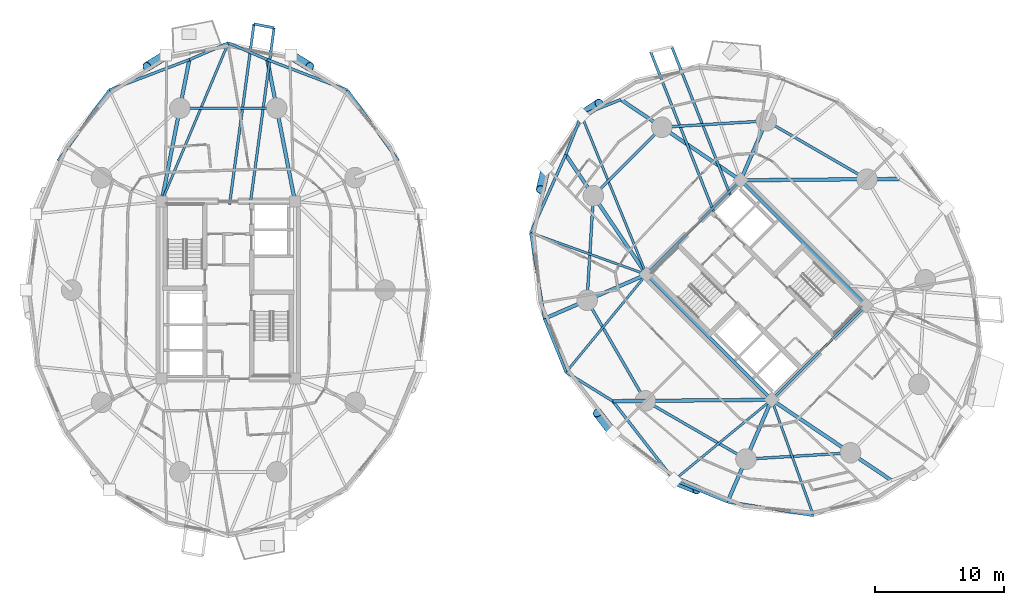
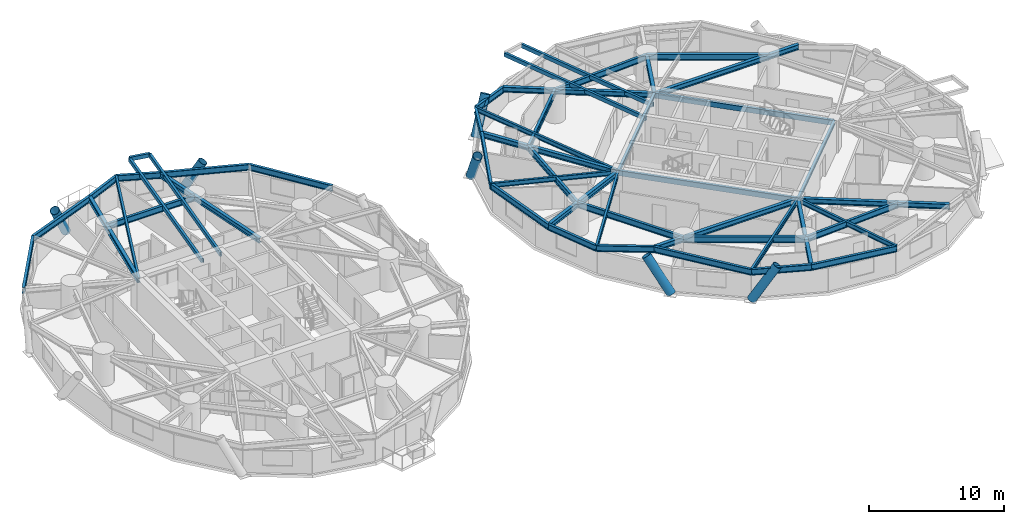
# One storey, part 5 of 20: 49 beams, 6 members.
"""IFC4 building model written with IfcOpenShell, lengths in metres."""

from ifc_helpers import new_model, si_unit, direction, frame, origin, origin_2d, place, context, subcontext, project, spatial, hollow_rectangle, hollow_circle, i_section, extrude, material, material_profile, profile_set, type_object, element, save


model = new_model("IFC4")

# Units and contexts
model_context = context("Model", 3, precision=1e-05, world=origin(), true_north=direction((0.0, 1.0)))
body_context = subcontext(model_context, "Body", "Model", "MODEL_VIEW")
ifc_project = project(units=[si_unit("LENGTHUNIT", "METRE"), si_unit("AREAUNIT", "SQUARE_METRE"), si_unit("VOLUMEUNIT", "CUBIC_METRE"), si_unit("PLANEANGLEUNIT", "RADIAN"), si_unit("MASSUNIT", "GRAM", prefix="KILO")], contexts=[model_context])

# Site, building, storey
site_placement = place(None, origin())
site = spatial("IfcSite", under=ifc_project, at=site_placement, CompositionType="ELEMENT")
building_placement = place(site_placement, origin())
building = spatial("IfcBuilding", under=site, at=building_placement, Name="Cununo Teusaquillo Station Towers", CompositionType="ELEMENT")
storey_placement = place(building_placement, frame((0.0, 0.0, 39.4599609375)))
storey = spatial("IfcBuildingStorey", under=building, at=storey_placement, Name="L11", CompositionType="ELEMENT", Elevation=39.4599609375)

# Beams
ifc_material_1 = material(Name="Steel EN 10025-2 S355J2", Category="steel")
ifc_material_profile_1 = material_profile(ifc_material_1, hollow_rectangle(XDim=0.199951171875, YDim=0.35009765625, WallThickness=0.013916015625, at=origin_2d()), Name="RHS 350x200x14")
ifc_profile_set_1 = profile_set([ifc_material_profile_1], Name="Steel EN 10025-2 S355J2")
beam_type_1 = type_object("IfcBeamType", Name="BM-BAL-CANT", PredefinedType="BEAM", material=ifc_profile_set_1)
beam_1_placement = place(storey_placement, frame((18.200439453125, 31.14990234375, 2.47509765625), z_axis=(0.133965193427, 0.990986037717, 0.0), x_axis=(-0.990986037717, 0.133965193427, 0.0)))
element("IfcBeam", 1, at=beam_1_placement, inside=storey, type_object=beam_type_1, Name="L11 Tower A Balcony Cantilever Bracket 1A", PredefinedType="BEAM", context=body_context, shape_type="SweptSolid", body=[
    extrude(hollow_rectangle(XDim=0.199951171875, YDim=0.35009765625, WallThickness=0.013916015625, at=origin_2d()), origin(), (0.0, 0.0, 1.0), 13.837646484375),
])
beam_2_placement = place(storey_placement, frame((16.59765625, 31.14990234375, 2.47509765625), z_axis=(0.133963716843, 0.990986237326, 0.0), x_axis=(-0.990986237326, 0.133963716843, 0.0)))
element("IfcBeam", 2, at=beam_2_placement, inside=storey, type_object=beam_type_1, Name="L11 Tower A Balcony Cantilever Bracket 1B", PredefinedType="BEAM", context=body_context, shape_type="SweptSolid", body=[
    extrude(hollow_rectangle(XDim=0.199951171875, YDim=0.35009765625, WallThickness=0.013916015625, at=origin_2d()), origin(), (0.0, 0.0, 1.0), 14.14208984375),
])
beam_3_placement = place(storey_placement, frame((55.4853515625, 31.889892578125, 2.47509765625), z_axis=(-0.366951688467, 0.930240000393, 0.0), x_axis=(-0.930240000393, -0.366951688467, 0.0)))
element("IfcBeam", 3, at=beam_3_placement, inside=storey, type_object=beam_type_1, Name="L11 Tower B Balcony Cantilever Bracket 1A", PredefinedType="BEAM", context=body_context, shape_type="SweptSolid", body=[
    extrude(hollow_rectangle(XDim=0.199951171875, YDim=0.35009765625, WallThickness=0.013916015625, at=origin_2d()), origin(), (0.0, 0.0, 1.0), 12.36767578125),
])
beam_4_placement = place(storey_placement, frame((54.194091796875, 30.5986328125, 2.47509765625), z_axis=(-0.366941130364, 0.930244165178, 0.0), x_axis=(-0.930244165178, -0.366941130364, 0.0)))
element("IfcBeam", 4, at=beam_4_placement, inside=storey, type_object=beam_type_1, Name="L11 Tower B Balcony Cantilever Bracket 1B", PredefinedType="BEAM", context=body_context, shape_type="SweptSolid", body=[
    extrude(hollow_rectangle(XDim=0.199951171875, YDim=0.35009765625, WallThickness=0.013916015625, at=origin_2d()), origin(), (0.0, 0.0, 1.0), 13.342041015625),
])
ifc_material_2 = material(Name="Steel EN 10025-2 S355J2", Category="steel")
ifc_material_profile_2 = material_profile(ifc_material_2, hollow_rectangle(XDim=0.25, YDim=0.449951171875, WallThickness=0.01611328125, at=origin_2d()), Name="RHS 450x250x16")
ifc_profile_set_2 = profile_set([ifc_material_profile_2], Name="Steel EN 10025-2 S355J2")
beam_type_2 = type_object("IfcBeamType", Name="BM-COUP-1", PredefinedType="USERDEFINED", material=ifc_profile_set_2)
for number, where, z_axis, x_axis, name in (
    (5, (58.70556640625, 15.975830078125, 2.425048828125), (-0.707106781187, 0.707106781187, 0.0), (-0.707106781187, -0.707106781187, 0.0), "L11 Tower B Core Beam 1"),
    (6, (66.024169921875, 23.29443359375, 2.425048828125), (-0.707106781187, 0.707106781187, 0.0), (-0.707106781187, -0.707106781187, 0.0), "L11 Tower B Core Beam 2"),
):
    element("IfcBeam", number, at=place(storey_placement, frame(where, z_axis=z_axis, x_axis=x_axis)), inside=storey, type_object=beam_type_2, Name=name, ObjectType="COUPLING BEAM", PredefinedType="USERDEFINED", context=body_context, shape_type="SweptSolid", body=[
        extrude(hollow_rectangle(XDim=0.25, YDim=0.449951171875, WallThickness=0.01611328125, at=origin_2d()), origin(), (0.0, 0.0, 1.0), 13.760009765625),
    ])
ifc_material_3 = material(Name="Steel ASTM A572 Grade 50", Category="steel")
ifc_material_profile_3 = material_profile(ifc_material_3, i_section(OverallWidth=0.180908203125, OverallDepth=0.4169921875, WebThickness=0.010986328125, FlangeThickness=0.018310546875, FilletRadius=0.012939453125, at=origin_2d()), Name="W16X57")
ifc_profile_set_3 = profile_set([ifc_material_profile_3], Name="Steel ASTM A572 Grade 50")
beam_type_3 = type_object("IfcBeamType", Name="BM-JOIST-1", PredefinedType="JOIST", material=ifc_profile_set_3)
for number, where, z_axis, x_axis, name in (
    (7, (11.324951171875, 31.3798828125, 2.441650390625), (0.387539558454, 0.92185307432, 0.0), (-0.92185307432, 0.387539558454, 0.0), "L11 Tower A Radial Spandrel Joist V05"),
    (8, (48.975830078125, 25.70556640625, 2.441650390625), (-0.377815437796, 0.92588092915, 0.0), (-0.92588092915, -0.377815437796, 0.0), "L11 Tower B Radial Spandrel Joist V05"),
):
    element("IfcBeam", number, at=place(storey_placement, frame(where, z_axis=z_axis, x_axis=x_axis)), inside=storey, type_object=beam_type_3, Name=name, PredefinedType="JOIST", context=body_context, shape_type="SweptSolid", body=[
        extrude(i_section(OverallWidth=0.180908203125, OverallDepth=0.4169921875, WebThickness=0.010986328125, FlangeThickness=0.018310546875, FilletRadius=0.012939453125, at=origin_2d()), origin(), (0.0, 0.0, 1.0), 13.353515625),
    ])
beam_5_placement = place(storey_placement, frame((48.975830078125, 25.70556640625, 2.441650390625), z_axis=(-0.940761914171, 0.33906787056, 0.0), x_axis=(-0.33906787056, -0.940761914171, 0.0)))
element("IfcBeam", 9, at=beam_5_placement, inside=storey, type_object=beam_type_3, Name="L11 Tower B Radial Spandrel Joist V07", PredefinedType="JOIST", context=body_context, shape_type="SweptSolid", body=[
    extrude(i_section(OverallWidth=0.180908203125, OverallDepth=0.4169921875, WebThickness=0.010986328125, FlangeThickness=0.018310546875, FilletRadius=0.012939453125, at=origin_2d()), origin(), (0.0, 0.0, 1.0), 9.552734375),
])
for number, where, z_axis, x_axis, name in (
    (10, (48.975830078125, 25.70556640625, 2.441650390625), (-0.635389148475, -0.772192093976, 0.0), (0.772192093976, -0.635389148475, 0.0), "L11 Tower B Radial Spandrel Joist V09"),
    (11, (58.70556640625, 15.975830078125, 2.441650390625), (-0.772192093976, -0.635389148475, 0.0), (0.635389148475, -0.772192093976, 0.0), "L11 Tower B Radial Spandrel Joist V11"),
):
    element("IfcBeam", number, at=place(storey_placement, frame(where, z_axis=z_axis, x_axis=x_axis)), inside=storey, type_object=beam_type_3, Name=name, PredefinedType="JOIST", context=body_context, shape_type="SweptSolid", body=[
        extrude(i_section(OverallWidth=0.180908203125, OverallDepth=0.4169921875, WebThickness=0.010986328125, FlangeThickness=0.018310546875, FilletRadius=0.012939453125, at=origin_2d()), origin(), (0.0, 0.0, 1.0), 9.82080078125),
    ])
beam_6_placement = place(storey_placement, frame((58.70556640625, 15.975830078125, 2.441650390625), z_axis=(0.33906787056, -0.940761914171, 0.0), x_axis=(0.940761914171, 0.33906787056, 0.0)))
element("IfcBeam", 12, at=beam_6_placement, inside=storey, type_object=beam_type_3, Name="L11 Tower B Radial Spandrel Joist V13", PredefinedType="JOIST", context=body_context, shape_type="SweptSolid", body=[
    extrude(i_section(OverallWidth=0.180908203125, OverallDepth=0.4169921875, WebThickness=0.010986328125, FlangeThickness=0.018310546875, FilletRadius=0.012939453125, at=origin_2d()), origin(), (0.0, 0.0, 1.0), 9.552734375),
])
ifc_material_4 = material(Name="Steel ASTM A572 Grade 50", Category="steel")
ifc_material_profile_4 = material_profile(ifc_material_4, i_section(OverallWidth=0.2041015625, OverallDepth=0.35009765625, WebThickness=0.008544921875, FlangeThickness=0.01513671875, FilletRadius=0.011962890625, at=origin_2d()), Name="W14X48")
ifc_profile_set_4 = profile_set([ifc_material_profile_4], Name="Steel ASTM A572 Grade 50")
beam_type_4 = type_object("IfcBeamType", Name="BM-LINTEL-1", PredefinedType="LINTEL", material=ifc_profile_set_4)
for number, where, z_axis, x_axis, name in (
    (13, (58.70556640625, 15.975830078125, 2.47509765625), (0.707106781187, 0.707106781187, 0.0), (-0.707106781187, 0.707106781187, 0.0), "L11 Tower B Core Beam 3"),
    (14, (48.975830078125, 25.70556640625, 2.47509765625), (0.707106781187, 0.707106781187, 0.0), (-0.707106781187, 0.707106781187, 0.0), "L11 Tower B Core Beam 4"),
):
    element("IfcBeam", number, at=place(storey_placement, frame(where, z_axis=z_axis, x_axis=x_axis)), inside=storey, type_object=beam_type_4, Name=name, PredefinedType="LINTEL", context=body_context, shape_type="SweptSolid", body=[
        extrude(i_section(OverallWidth=0.2041015625, OverallDepth=0.35009765625, WebThickness=0.008544921875, FlangeThickness=0.01513671875, FilletRadius=0.011962890625, at=origin_2d()), origin(), (0.0, 0.0, 1.0), 10.35009765625),
    ])
ifc_material_5 = material(Name="Steel ASTM A572 Grade 50", Category="steel")
ifc_material_profile_5 = material_profile(ifc_material_5, i_section(OverallWidth=0.280029296875, OverallDepth=0.462890625, WebThickness=0.0107421875, FlangeThickness=0.017333984375, FilletRadius=0.013916015625, at=origin_2d()), Name="W18X76")
ifc_profile_set_5 = profile_set([ifc_material_profile_5], Name="Steel ASTM A572 Grade 50")
beam_type_5 = type_object("IfcBeamType", Name="BM-RAD-G1", PredefinedType="BEAM", material=ifc_profile_set_5)
for number, where, z_axis, x_axis, name in (
    (15, (21.675048828125, 31.3798828125, 2.41845703125), (-0.191549210283, 0.981483010571, 0.0), (-0.981483010571, -0.191549210283, 0.0), "L11 Tower A Continuous Overhanging Radial Girder 03"),
    (16, (11.324951171875, 31.3798828125, 2.41845703125), (0.191549210283, 0.981483010571, 0.0), (-0.981483010571, 0.191549210283, 0.0), "L11 Tower A Continuous Overhanging Radial Girder 04"),
):
    element("IfcBeam", number, at=place(storey_placement, frame(where, z_axis=z_axis, x_axis=x_axis)), inside=storey, type_object=beam_type_5, Name=name, PredefinedType="BEAM", context=body_context, shape_type="SweptSolid", body=[
        extrude(i_section(OverallWidth=0.280029296875, OverallDepth=0.462890625, WebThickness=0.0107421875, FlangeThickness=0.017333984375, FilletRadius=0.013916015625, at=origin_2d()), origin(), (0.0, 0.0, 1.0), 11.22119140625),
    ])
beam_7_placement = place(storey_placement, frame((56.29443359375, 33.024169921875, 2.41845703125), z_axis=(0.999964326722, 0.008446613668, 0.0), x_axis=(-0.008446613668, 0.999964326722, 0.0)))
element("IfcBeam", 17, at=beam_7_placement, inside=storey, type_object=beam_type_5, Name="L11 Tower B Continuous Overhanging Radial Girder 01", PredefinedType="BEAM", context=body_context, shape_type="SweptSolid", body=[
    extrude(i_section(OverallWidth=0.280029296875, OverallDepth=0.462890625, WebThickness=0.0107421875, FlangeThickness=0.017333984375, FilletRadius=0.013916015625, at=origin_2d()), origin(), (0.0, 0.0, 1.0), 12.342041015625),
])
beam_8_placement = place(storey_placement, frame((56.29443359375, 33.024169921875, 2.41845703125), z_axis=(0.397346986387, 0.917668443616, 0.0), x_axis=(-0.917668443616, 0.397346986387, 0.0)))
element("IfcBeam", 18, at=beam_8_placement, inside=storey, type_object=beam_type_5, Name="L11 Tower B Radial Girder 02A", PredefinedType="BEAM", context=body_context, shape_type="SweptSolid", body=[
    extrude(i_section(OverallWidth=0.280029296875, OverallDepth=0.462890625, WebThickness=0.0107421875, FlangeThickness=0.017333984375, FilletRadius=0.013916015625, at=origin_2d()), origin(), (0.0, 0.0, 1.0), 5.02490234375),
])
for number, where, z_axis, x_axis, name in (
    (19, (56.29443359375, 33.024169921875, 2.41845703125), (-0.829460584667, 0.558565249978, 0.0), (-0.558565249978, -0.829460584667, 0.0), "L11 Tower B Continuous Overhanging Radial Girder 03"),
    (20, (48.975830078125, 25.70556640625, 2.41845703125), (-0.558565249978, 0.829460584667, 0.0), (-0.829460584667, -0.558565249978, 0.0), "L11 Tower B Continuous Overhanging Radial Girder 04"),
):
    element("IfcBeam", number, at=place(storey_placement, frame(where, z_axis=z_axis, x_axis=x_axis)), inside=storey, type_object=beam_type_5, Name=name, PredefinedType="BEAM", context=body_context, shape_type="SweptSolid", body=[
        extrude(i_section(OverallWidth=0.280029296875, OverallDepth=0.462890625, WebThickness=0.0107421875, FlangeThickness=0.017333984375, FilletRadius=0.013916015625, at=origin_2d()), origin(), (0.0, 0.0, 1.0), 11.22119140625),
    ])
beam_9_placement = place(storey_placement, frame((48.975830078125, 25.70556640625, 2.41845703125), z_axis=(-0.91765947108, -0.397367707718, 0.0), x_axis=(0.397367707718, -0.91765947108, 0.0)))
element("IfcBeam", 21, at=beam_9_placement, inside=storey, type_object=beam_type_5, Name="L11 Tower B Continuous Overhanging Radial Girder 05", PredefinedType="BEAM", context=body_context, shape_type="SweptSolid", body=[
    extrude(i_section(OverallWidth=0.280029296875, OverallDepth=0.462890625, WebThickness=0.0107421875, FlangeThickness=0.017333984375, FilletRadius=0.013916015625, at=origin_2d()), origin(), (0.0, 0.0, 1.0), 8.631591796875),
])
beam_10_placement = place(storey_placement, frame((58.70556640625, 15.975830078125, 2.41845703125), z_axis=(-0.999964431382, -0.008434214327, 0.0), x_axis=(0.008434214327, -0.999964431382, 0.0)))
element("IfcBeam", 22, at=beam_10_placement, inside=storey, type_object=beam_type_5, Name="L11 Tower B Radial Girder 06A", PredefinedType="BEAM", context=body_context, shape_type="SweptSolid", body=[
    extrude(i_section(OverallWidth=0.280029296875, OverallDepth=0.462890625, WebThickness=0.0107421875, FlangeThickness=0.017333984375, FilletRadius=0.013916015625, at=origin_2d()), origin(), (0.0, 0.0, 1.0), 9.812744140625),
])
beam_11_placement = place(storey_placement, frame((48.89306640625, 15.89306640625, 2.41845703125), z_axis=(-0.999963919198, -0.00849472197, 0.0), x_axis=(0.00849472197, -0.999963919198, 0.0)))
element("IfcBeam", 23, at=beam_11_placement, inside=storey, type_object=beam_type_5, Name="L11 Tower B Perimeter Overhang Girder 06B", PredefinedType="BEAM", context=body_context, shape_type="SweptSolid", body=[
    extrude(i_section(OverallWidth=0.280029296875, OverallDepth=0.462890625, WebThickness=0.0107421875, FlangeThickness=0.017333984375, FilletRadius=0.013916015625, at=origin_2d()), origin(), (0.0, 0.0, 1.0), 2.529052734375),
])
beam_12_placement = place(storey_placement, frame((58.70556640625, 15.975830078125, 2.41845703125), z_axis=(-0.397367707718, -0.91765947108, 0.0), x_axis=(0.91765947108, -0.397367707718, 0.0)))
element("IfcBeam", 24, at=beam_12_placement, inside=storey, type_object=beam_type_5, Name="L11 Tower B Continuous Overhanging Radial Girder 07", PredefinedType="BEAM", context=body_context, shape_type="SweptSolid", body=[
    extrude(i_section(OverallWidth=0.280029296875, OverallDepth=0.462890625, WebThickness=0.0107421875, FlangeThickness=0.017333984375, FilletRadius=0.013916015625, at=origin_2d()), origin(), (0.0, 0.0, 1.0), 8.631591796875),
])
beam_13_placement = place(storey_placement, frame((58.70556640625, 15.975830078125, 2.41845703125), z_axis=(0.829460584667, -0.558565249978, 0.0), x_axis=(0.558565249978, 0.829460584667, 0.0)))
element("IfcBeam", 25, at=beam_13_placement, inside=storey, type_object=beam_type_5, Name="L11 Tower B Continuous Overhanging Radial Girder 08", PredefinedType="BEAM", context=body_context, shape_type="SweptSolid", body=[
    extrude(i_section(OverallWidth=0.280029296875, OverallDepth=0.462890625, WebThickness=0.0107421875, FlangeThickness=0.017333984375, FilletRadius=0.013916015625, at=origin_2d()), origin(), (0.0, 0.0, 1.0), 11.22119140625),
])
ifc_material_6 = material(Name="Steel ASTM A572 Grade 50", Category="steel")
ifc_material_profile_6 = material_profile(ifc_material_6, i_section(OverallWidth=0.214111328125, OverallDepth=0.549072265625, WebThickness=0.0146484375, FlangeThickness=0.023681640625, FilletRadius=0.014892578125, at=origin_2d()), Name="W21X93")
ifc_profile_set_6 = profile_set([ifc_material_profile_6], Name="Steel ASTM A572 Grade 50")
beam_type_6 = type_object("IfcBeamType", Name="BM-RING-Z1", PredefinedType="SPANDREL", material=ifc_profile_set_6)
beam_14_placement = place(storey_placement, frame((20.261474609375, 38.623291015625, 2.37548828125), z_axis=(-1.0, 0.0, 0.0), x_axis=(0.0, -1.0, 0.0)))
element("IfcBeam", 26, at=beam_14_placement, inside=storey, type_object=beam_type_6, Name="L11 Tower A Structural Column Ring Girder 03", PredefinedType="SPANDREL", context=body_context, shape_type="SweptSolid", body=[
    extrude(i_section(OverallWidth=0.214111328125, OverallDepth=0.549072265625, WebThickness=0.0146484375, FlangeThickness=0.023681640625, FilletRadius=0.014892578125, at=origin_2d()), origin(), (0.0, 0.0, 1.0), 7.52294921875),
])
beam_15_placement = place(storey_placement, frame((29.701171875, 34.555419921875, 2.37548828125), z_axis=(-0.586607937648, 0.809871056087, 0.0), x_axis=(-0.809871056087, -0.586607937648, 0.0)))
element("IfcBeam", 27, at=beam_15_placement, inside=storey, type_object=beam_type_6, Name="L11 Tower A Spandrel Ring Beam 03", PredefinedType="SPANDREL", context=body_context, shape_type="SweptSolid", body=[
    extrude(i_section(OverallWidth=0.214111328125, OverallDepth=0.549072265625, WebThickness=0.0146484375, FlangeThickness=0.023681640625, FilletRadius=0.014892578125, at=origin_2d()), origin(), (0.0, 0.0, 1.0), 6.75341796875),
])
beam_16_placement = place(storey_placement, frame((25.739501953125, 40.02490234375, 2.37548828125), z_axis=(-0.934426653529, 0.356155624937, 0.0), x_axis=(-0.356155624937, -0.934426653529, 0.0)))
element("IfcBeam", 28, at=beam_16_placement, inside=storey, type_object=beam_type_6, Name="L11 Tower A Spandrel Ring Beam 04", PredefinedType="SPANDREL", context=body_context, shape_type="SweptSolid", body=[
    extrude(i_section(OverallWidth=0.214111328125, OverallDepth=0.549072265625, WebThickness=0.0146484375, FlangeThickness=0.023681640625, FilletRadius=0.014892578125, at=origin_2d()), origin(), (0.0, 0.0, 1.0), 6.64990234375),
])
for number, where, z_axis, x_axis, name in (
    (29, (19.525634765625, 42.393310546875, 2.37548828125), (-0.919152702301, 0.393901396104, 0.0), (-0.393901396104, -0.919152702301, 0.0), "L11 Tower A Spandrel Ring Beam 05"),
    (30, (16.5, 43.68994140625, 2.37548828125), (-0.919152702301, -0.393901396104, 0.0), (0.393901396104, -0.919152702301, 0.0), "L11 Tower A Spandrel Ring Beam 06"),
):
    element("IfcBeam", number, at=place(storey_placement, frame(where, z_axis=z_axis, x_axis=x_axis)), inside=storey, type_object=beam_type_6, Name=name, PredefinedType="SPANDREL", context=body_context, shape_type="SweptSolid", body=[
        extrude(i_section(OverallWidth=0.214111328125, OverallDepth=0.549072265625, WebThickness=0.0146484375, FlangeThickness=0.023681640625, FilletRadius=0.014892578125, at=origin_2d()), origin(), (0.0, 0.0, 1.0), 3.291748046875),
    ])
beam_17_placement = place(storey_placement, frame((13.474365234375, 42.393310546875, 2.37548828125), z_axis=(-0.934426653529, -0.356155624937, 0.0), x_axis=(0.356155624937, -0.934426653529, 0.0)))
element("IfcBeam", 31, at=beam_17_placement, inside=storey, type_object=beam_type_6, Name="L11 Tower A Spandrel Ring Beam 07", PredefinedType="SPANDREL", context=body_context, shape_type="SweptSolid", body=[
    extrude(i_section(OverallWidth=0.214111328125, OverallDepth=0.549072265625, WebThickness=0.0146484375, FlangeThickness=0.023681640625, FilletRadius=0.014892578125, at=origin_2d()), origin(), (0.0, 0.0, 1.0), 6.64990234375),
])
beam_18_placement = place(storey_placement, frame((7.260498046875, 40.02490234375, 2.37548828125), z_axis=(-0.586607937648, -0.809871056087, 0.0), x_axis=(0.809871056087, -0.586607937648, 0.0)))
element("IfcBeam", 32, at=beam_18_placement, inside=storey, type_object=beam_type_6, Name="L11 Tower A Spandrel Ring Beam 08", PredefinedType="SPANDREL", context=body_context, shape_type="SweptSolid", body=[
    extrude(i_section(OverallWidth=0.214111328125, OverallDepth=0.549072265625, WebThickness=0.0146484375, FlangeThickness=0.023681640625, FilletRadius=0.014892578125, at=origin_2d()), origin(), (0.0, 0.0, 1.0), 6.75341796875),
])
beam_19_placement = place(storey_placement, frame((66.10693359375, 33.10693359375, 2.37548828125), z_axis=(-0.865267103202, 0.501311121078, 0.0), x_axis=(-0.501311121078, -0.865267103202, 0.0)))
element("IfcBeam", 33, at=beam_19_placement, inside=storey, type_object=beam_type_6, Name="L11 Tower B Structural Column Ring Girder 01", PredefinedType="SPANDREL", context=body_context, shape_type="SweptSolid", body=[
    extrude(i_section(OverallWidth=0.214111328125, OverallDepth=0.549072265625, WebThickness=0.0146484375, FlangeThickness=0.023681640625, FilletRadius=0.014892578125, at=origin_2d()), origin(), (0.0, 0.0, 1.0), 9.032958984375),
])
beam_20_placement = place(storey_placement, frame((58.291015625, 37.63525390625, 2.37548828125), z_axis=(-0.998190567048, -0.06012979176, 0.0), x_axis=(0.06012979176, -0.998190567048, 0.0)))
element("IfcBeam", 34, at=beam_20_placement, inside=storey, type_object=beam_type_6, Name="L11 Tower B Structural Column Ring Girder 02", PredefinedType="SPANDREL", context=body_context, shape_type="SweptSolid", body=[
    extrude(i_section(OverallWidth=0.214111328125, OverallDepth=0.549072265625, WebThickness=0.0146484375, FlangeThickness=0.023681640625, FilletRadius=0.014892578125, at=origin_2d()), origin(), (0.0, 0.0, 1.0), 8.132568359375),
])
beam_21_placement = place(storey_placement, frame((50.173095703125, 37.146240234375, 2.37548828125), z_axis=(-0.707106781187, -0.707106781187, 0.0), x_axis=(0.707106781187, -0.707106781187, 0.0)))
element("IfcBeam", 35, at=beam_21_placement, inside=storey, type_object=beam_type_6, Name="L11 Tower B Structural Column Ring Girder 03", PredefinedType="SPANDREL", context=body_context, shape_type="SweptSolid", body=[
    extrude(i_section(OverallWidth=0.214111328125, OverallDepth=0.549072265625, WebThickness=0.0146484375, FlangeThickness=0.023681640625, FilletRadius=0.014892578125, at=origin_2d()), origin(), (0.0, 0.0, 1.0), 7.522705078125),
])
beam_22_placement = place(storey_placement, frame((44.853759765625, 31.826904296875, 2.37548828125), z_axis=(-0.06012979176, -0.998190567048, 0.0), x_axis=(0.998190567048, -0.06012979176, 0.0)))
element("IfcBeam", 36, at=beam_22_placement, inside=storey, type_object=beam_type_6, Name="L11 Tower B Structural Column Ring Girder 04", PredefinedType="SPANDREL", context=body_context, shape_type="SweptSolid", body=[
    extrude(i_section(OverallWidth=0.214111328125, OverallDepth=0.549072265625, WebThickness=0.0146484375, FlangeThickness=0.023681640625, FilletRadius=0.014892578125, at=origin_2d()), origin(), (0.0, 0.0, 1.0), 8.132568359375),
])
for number, where, z_axis, x_axis, name in (
    (37, (44.36474609375, 23.708984375, 2.37548828125), (0.501311121078, -0.865267103202, 0.0), (0.865267103202, 0.501311121078, 0.0), "L11 Tower B Structural Column Ring Girder 05"),
    (38, (48.89306640625, 15.89306640625, 2.37548828125), (0.865267103202, -0.501311121078, 0.0), (0.501311121078, 0.865267103202, 0.0), "L11 Tower B Structural Column Ring Girder 06"),
):
    element("IfcBeam", number, at=place(storey_placement, frame(where, z_axis=z_axis, x_axis=x_axis)), inside=storey, type_object=beam_type_6, Name=name, PredefinedType="SPANDREL", context=body_context, shape_type="SweptSolid", body=[
        extrude(i_section(OverallWidth=0.214111328125, OverallDepth=0.549072265625, WebThickness=0.0146484375, FlangeThickness=0.023681640625, FilletRadius=0.014892578125, at=origin_2d()), origin(), (0.0, 0.0, 1.0), 9.032958984375),
    ])
beam_23_placement = place(storey_placement, frame((56.708984375, 11.36474609375, 2.37548828125), z_axis=(0.998190567048, 0.06012979176, 0.0), x_axis=(-0.06012979176, 0.998190567048, 0.0)))
element("IfcBeam", 39, at=beam_23_placement, inside=storey, type_object=beam_type_6, Name="L11 Tower B Structural Column Ring Girder 07", PredefinedType="SPANDREL", context=body_context, shape_type="SweptSolid", body=[
    extrude(i_section(OverallWidth=0.214111328125, OverallDepth=0.549072265625, WebThickness=0.0146484375, FlangeThickness=0.023681640625, FilletRadius=0.014892578125, at=origin_2d()), origin(), (0.0, 0.0, 1.0), 8.132568359375),
])
for number, where, z_axis, x_axis, name in (
    (40, (46.98681640625, 39.2919921875, 2.37548828125), (-0.928456228871, -0.371441827304, 0.0), (0.371441827304, -0.928456228871, 0.0), "L11 Tower B Spandrel Ring Beam 05"),
    (41, (43.9306640625, 38.0693359375, 2.37548828125), (-0.371441827304, -0.928456228871, 0.0), (0.928456228871, -0.371441827304, 0.0), "L11 Tower B Spandrel Ring Beam 06"),
):
    element("IfcBeam", number, at=place(storey_placement, frame(where, z_axis=z_axis, x_axis=x_axis)), inside=storey, type_object=beam_type_6, Name=name, PredefinedType="SPANDREL", context=body_context, shape_type="SweptSolid", body=[
        extrude(i_section(OverallWidth=0.214111328125, OverallDepth=0.549072265625, WebThickness=0.0146484375, FlangeThickness=0.023681640625, FilletRadius=0.014892578125, at=origin_2d()), origin(), (0.0, 0.0, 1.0), 3.291748046875),
    ])
beam_24_placement = place(storey_placement, frame((42.7080078125, 35.01318359375, 2.37548828125), z_axis=(-0.408878798951, -0.912588695836, 0.0), x_axis=(0.912588695836, -0.408878798951, 0.0)))
element("IfcBeam", 42, at=beam_24_placement, inside=storey, type_object=beam_type_6, Name="L11 Tower B Spandrel Ring Beam 07", PredefinedType="SPANDREL", context=body_context, shape_type="SweptSolid", body=[
    extrude(i_section(OverallWidth=0.214111328125, OverallDepth=0.549072265625, WebThickness=0.0146484375, FlangeThickness=0.023681640625, FilletRadius=0.014892578125, at=origin_2d()), origin(), (0.0, 0.0, 1.0), 6.64990234375),
])
beam_25_placement = place(storey_placement, frame((39.989013671875, 28.944580078125, 2.37548828125), z_axis=(0.157829770834, -0.987466335344, 0.0), x_axis=(0.987466335344, 0.157829770834, 0.0)))
element("IfcBeam", 43, at=beam_25_placement, inside=storey, type_object=beam_type_6, Name="L11 Tower B Spandrel Ring Beam 08", PredefinedType="SPANDREL", context=body_context, shape_type="SweptSolid", body=[
    extrude(i_section(OverallWidth=0.214111328125, OverallDepth=0.549072265625, WebThickness=0.0146484375, FlangeThickness=0.023681640625, FilletRadius=0.014892578125, at=origin_2d()), origin(), (0.0, 0.0, 1.0), 6.753662109375),
])
beam_26_placement = place(storey_placement, frame((41.054931640625, 22.275634765625, 2.37548828125), z_axis=(0.375135909025, -0.926969821386, 0.0), x_axis=(0.926969821386, 0.375135909025, 0.0)))
element("IfcBeam", 44, at=beam_26_placement, inside=storey, type_object=beam_type_6, Name="L11 Tower B Spandrel Ring Beam 09", PredefinedType="SPANDREL", context=body_context, shape_type="SweptSolid", body=[
    extrude(i_section(OverallWidth=0.214111328125, OverallDepth=0.549072265625, WebThickness=0.0146484375, FlangeThickness=0.023681640625, FilletRadius=0.014892578125, at=origin_2d()), origin(), (0.0, 0.0, 1.0), 4.480712890625),
])
beam_27_placement = place(storey_placement, frame((42.73583984375, 18.1220703125, 2.37548828125), z_axis=(0.849795627585, -0.527112313779, 0.0), x_axis=(0.527112313779, 0.849795627585, 0.0)))
element("IfcBeam", 45, at=beam_27_placement, inside=storey, type_object=beam_type_6, Name="L11 Tower B Spandrel Ring Beam 10", PredefinedType="SPANDREL", context=body_context, shape_type="SweptSolid", body=[
    extrude(i_section(OverallWidth=0.214111328125, OverallDepth=0.549072265625, WebThickness=0.0146484375, FlangeThickness=0.023681640625, FilletRadius=0.014892578125, at=origin_2d()), origin(), (0.0, 0.0, 1.0), 4.26953125),
])
beam_28_placement = place(storey_placement, frame((46.364013671875, 15.87158203125, 2.37548828125), z_axis=(0.612801480015, -0.790236892388, 0.0), x_axis=(0.790236892388, 0.612801480015, 0.0)))
element("IfcBeam", 46, at=beam_28_placement, inside=storey, type_object=beam_type_6, Name="L11 Tower B Spandrel Ring Beam 11", PredefinedType="SPANDREL", context=body_context, shape_type="SweptSolid", body=[
    extrude(i_section(OverallWidth=0.214111328125, OverallDepth=0.549072265625, WebThickness=0.0146484375, FlangeThickness=0.023681640625, FilletRadius=0.014892578125, at=origin_2d()), origin(), (0.0, 0.0, 1.0), 7.764404296875),
])
beam_29_placement = place(storey_placement, frame((51.1220703125, 9.73583984375, 2.37548828125), z_axis=(0.926969821386, -0.375135909025, 0.0), x_axis=(0.375135909025, 0.926969821386, 0.0)))
element("IfcBeam", 47, at=beam_29_placement, inside=storey, type_object=beam_type_6, Name="L11 Tower B Spandrel Ring Beam 12", PredefinedType="SPANDREL", context=body_context, shape_type="SweptSolid", body=[
    extrude(i_section(OverallWidth=0.214111328125, OverallDepth=0.549072265625, WebThickness=0.0146484375, FlangeThickness=0.023681640625, FilletRadius=0.014892578125, at=origin_2d()), origin(), (0.0, 0.0, 1.0), 4.480712890625),
])
beam_30_placement = place(storey_placement, frame((55.275634765625, 8.054931640625, 2.37548828125), z_axis=(0.987466335344, -0.157829770834, 0.0), x_axis=(0.157829770834, 0.987466335344, 0.0)))
element("IfcBeam", 48, at=beam_30_placement, inside=storey, type_object=beam_type_6, Name="L11 Tower B Spandrel Ring Beam 13", PredefinedType="SPANDREL", context=body_context, shape_type="SweptSolid", body=[
    extrude(i_section(OverallWidth=0.214111328125, OverallDepth=0.549072265625, WebThickness=0.0146484375, FlangeThickness=0.023681640625, FilletRadius=0.014892578125, at=origin_2d()), origin(), (0.0, 0.0, 1.0), 6.753662109375),
])
ifc_material_7 = material(Name="Steel EN 10025-2 S355J2", Category="steel")
ifc_material_profile_7 = material_profile(ifc_material_7, hollow_rectangle(XDim=0.199951171875, YDim=0.35009765625, WallThickness=0.013916015625, at=origin_2d()), Name="RHS 350x200x14")
ifc_profile_set_7 = profile_set([ifc_material_profile_7], Name="Steel EN 10025-2 S355J2")
beam_type_7 = type_object("IfcBeamType", Name="BM-STAIR-TRIM", PredefinedType="BEAM", material=ifc_profile_set_7)
beam_31_placement = place(storey_placement, frame((20.05419921875, 44.86279296875, 2.525146484375), z_axis=(-0.981846285306, 0.18967833833, 0.0), x_axis=(-0.18967833833, -0.981846285306, 0.0)))
element("IfcBeam", 49, at=beam_31_placement, inside=storey, type_object=beam_type_7, Name="L11 Tower A Balcony Edge Trimmer Beam 1", PredefinedType="BEAM", context=body_context, shape_type="SweptSolid", body=[
    extrude(hollow_rectangle(XDim=0.199951171875, YDim=0.35009765625, WallThickness=0.013916015625, at=origin_2d()), origin(), (0.0, 0.0, 1.0), 1.5908203125),
])

# Members
ifc_material_8 = material(Name="Steel EN 10025-2 S355J2", Category="steel")
ifc_material_profile_8 = material_profile(ifc_material_8, hollow_circle(Radius=0.360107421875, WallThickness=0.028076171875, at=origin_2d()), Name="CHS 720x28")
ifc_profile_set_8 = profile_set([ifc_material_profile_8], Name="Steel EN 10025-2 S355J2")
member_type = type_object("IfcMemberType", Name="MBR-DIAG-Z1", PredefinedType="BRACE", material=ifc_profile_set_8)
for number, where, z_axis, x_axis, name in (
    (50, (21.357421875, 42.750732421875, -0.139892578125), (0.43211827403, -0.268746798875, 0.860842003705), (0.528122251674, 0.84916835038, 0.0), "L11 Tower A Folded-Zigzag Diagrid Tube C03"),
    (51, (11.642578125, 42.750732421875, -0.139892578125), (-0.43211827403, -0.268746798875, 0.860842003705), (0.528122251674, -0.84916835038, 0.0), "L11 Tower A Folded-Zigzag Diagrid Tube C06"),
):
    element("IfcMember", number, at=place(storey_placement, frame(where, z_axis=z_axis, x_axis=x_axis)), inside=storey, type_object=member_type, Name=name, PredefinedType="BRACE", context=body_context, shape_type="SweptSolid", body=[
        extrude(hollow_circle(Radius=0.360107421875, WallThickness=0.028076171875, at=origin_2d()), origin(), (0.0, 0.0, 1.0), 3.38037109375),
    ])
member_1_placement = place(storey_placement, frame((43.9306640625, 38.0693359375, -0.139892578125), z_axis=(0.408468387245, 0.276132221041, 0.870002628229), x_axis=(-0.560052437376, 0.828457160866, 0.0)))
element("IfcMember", 52, at=member_1_placement, inside=storey, type_object=member_type, Name="L11 Tower B Folded-Zigzag Diagrid Tube C04", PredefinedType="BRACE", context=body_context, shape_type="SweptSolid", body=[
    extrude(hollow_circle(Radius=0.360107421875, WallThickness=0.028076171875, at=origin_2d()), origin(), (0.0, 0.0, 1.0), 3.3447265625),
])
member_2_placement = place(storey_placement, frame((41.159912109375, 33.970703125, -0.139892578125), z_axis=(-0.115486215866, -0.495601259082, 0.860838153163), x_axis=(0.97390816807, -0.226942460033, 0.0)))
element("IfcMember", 53, at=member_2_placement, inside=storey, type_object=member_type, Name="L11 Tower B Folded-Zigzag Diagrid Tube C06", PredefinedType="BRACE", context=body_context, shape_type="SweptSolid", body=[
    extrude(hollow_circle(Radius=0.360107421875, WallThickness=0.028076171875, at=origin_2d()), origin(), (0.0, 0.0, 1.0), 3.38037109375),
])
member_3_placement = place(storey_placement, frame((46.385009765625, 13.385009765625, -0.139892578125), z_axis=(-0.344844946143, 0.447703153683, 0.82501142374), x_axis=(-0.792232238266, -0.610219698676, 0.0)))
element("IfcMember", 54, at=member_3_placement, inside=storey, type_object=member_type, Name="L11 Tower B Folded-Zigzag Diagrid Tube C09", PredefinedType="BRACE", context=body_context, shape_type="SweptSolid", body=[
    extrude(hollow_circle(Radius=0.360107421875, WallThickness=0.028076171875, at=origin_2d()), origin(), (0.0, 0.0, 1.0), 3.527099609375),
])
member_4_placement = place(storey_placement, frame((51.1220703125, 9.73583984375, -0.139892578125), z_axis=(0.51162667088, -0.210312111022, 0.833070804675), x_axis=(0.380196848385, 0.924905593279, 0.0)))
element("IfcMember", 55, at=member_4_placement, inside=storey, type_object=member_type, Name="L11 Tower B Folded-Zigzag Diagrid Tube C11", PredefinedType="BRACE", context=body_context, shape_type="SweptSolid", body=[
    extrude(hollow_circle(Radius=0.360107421875, WallThickness=0.028076171875, at=origin_2d()), origin(), (0.0, 0.0, 1.0), 3.492919921875),
])

save(model, "model.ifc")
